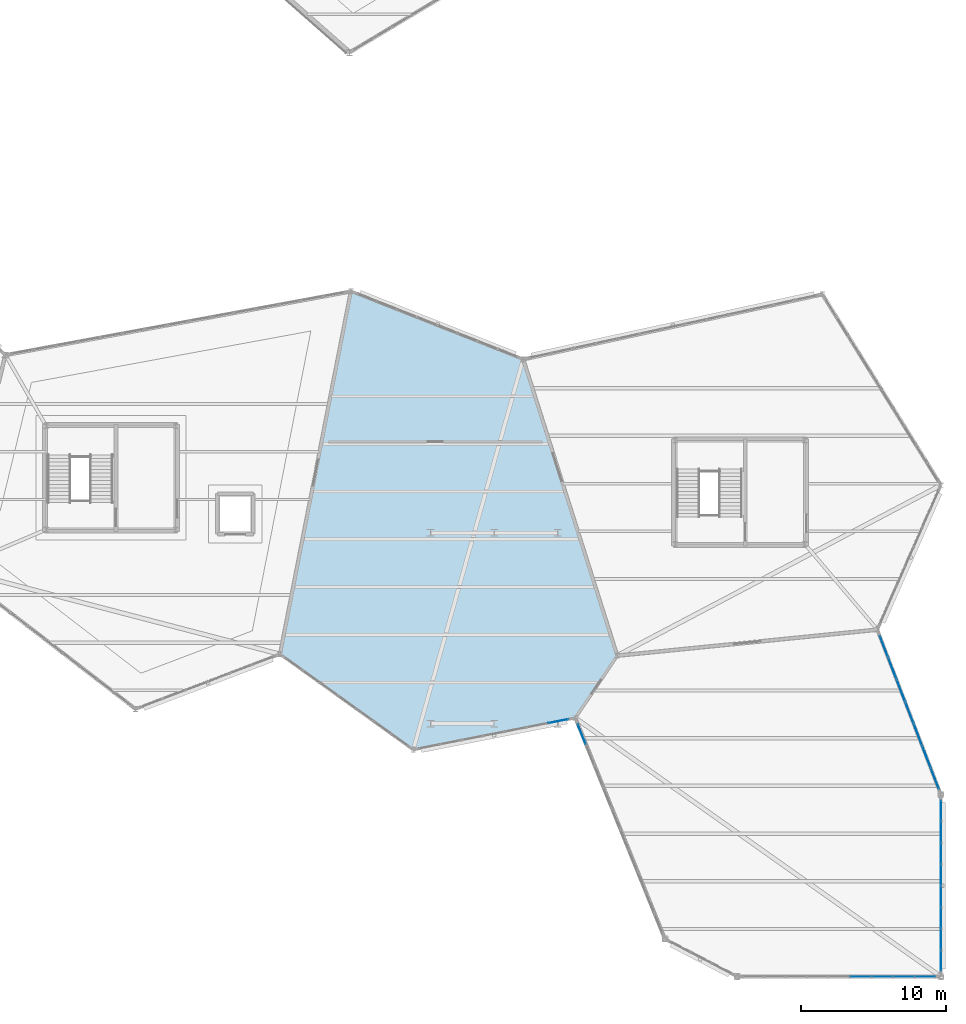
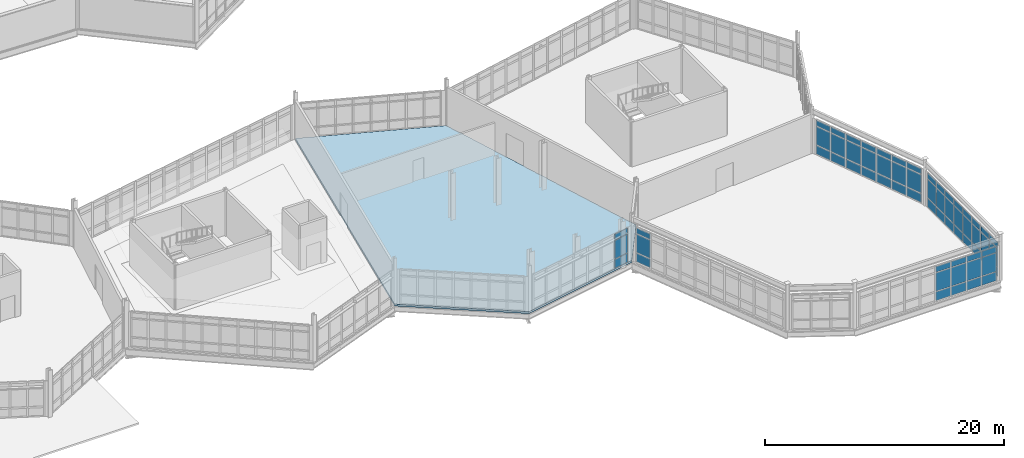
# One storey, part 97 of 134: 63 plates, 1 slab, 5 elements without a shape of their own.
"""IFC4 building model written with IfcOpenShell, lengths in metres."""

import ifcopenshell
import ifcopenshell.guid

model = None  # the IFC model being written
_history = None  # IfcOwnerHistory: only IFC2X3 demands one
_inside = {}  # id of a spatial element -> (the spatial element, [elements in it])
_under = {}  # id of a project, library or spatial element -> (it, [spatial elements below it])
_declared = {}  # id of a project -> (the project, [libraries it declares])
_typed = {}  # id of a type object -> (the type object, [elements of that type])
_made_of = {}  # id of a material, layer set ... -> (it, [elements and type objects made of it])


def new_model(schema):
    """Start an empty IFC model of exactly this schema.

    Asked for "IFC4X3", IfcOpenShell would pick the latest addendum, in which some entities
    have other attributes; the version numbers below select the first issue.
    IFC2X3 requires an IfcOwnerHistory on every rooted entity: one is made here for all.
    """
    global model, _history
    if schema == "IFC4X3":
        model = ifcopenshell.file(schema_version=(4, 3, 0, 0))
    else:
        model = ifcopenshell.file(schema=schema)
    _inside.clear()
    _under.clear()
    _declared.clear()
    _typed.clear()
    _made_of.clear()
    _history = None
    if model.schema == "IFC2X3":
        org = make("IfcOrganization", Name="unknown")
        user = make(
            "IfcPersonAndOrganization",
            ThePerson=make("IfcPerson", FamilyName="unknown"),
            TheOrganization=org,
        )
        app = make(
            "IfcApplication",
            ApplicationDeveloper=org,
            Version="unknown",
            ApplicationFullName="unknown",
            ApplicationIdentifier="unknown",
        )
        _history = make(
            "IfcOwnerHistory",
            OwningUser=user,
            OwningApplication=app,
            ChangeAction="ADDED",
            CreationDate=0,
        )
    return model


def make(cls, **values):
    """One entity of the class cls with the attributes given. An attribute that is None is left unset."""
    return model.create_entity(
        cls, **{name: value for name, value in values.items() if value is not None}
    )


def rooted(cls, **values):
    """An entity with a GlobalId (a new one), such as an element, a storey or a relation."""
    return make(cls, GlobalId=ifcopenshell.guid.new(), OwnerHistory=_history, **values)


def si_unit(unit_type, name, prefix=None):
    """IfcSIUnit, for example si_unit("LENGTHUNIT", "METRE", prefix="MILLI")."""
    return make("IfcSIUnit", UnitType=unit_type, Prefix=prefix, Name=name)


def assignment(units):
    """IfcUnitAssignment: the units of a project."""
    return None if units is None else make("IfcUnitAssignment", Units=units)


def point(xyz):
    """IfcCartesianPoint."""
    return None if xyz is None else make("IfcCartesianPoint", Coordinates=xyz)


def direction(xyz):
    """IfcDirection."""
    return None if xyz is None else make("IfcDirection", DirectionRatios=xyz)


def frame(location, z_axis=None, x_axis=None):
    """IfcAxis2Placement3D, a coordinate frame: its origin and axes. An axis left out is left unset."""
    return make(
        "IfcAxis2Placement3D",
        Location=point(location),
        Axis=direction(z_axis),
        RefDirection=direction(x_axis),
    )


def frame_2d(location, x_axis=None):
    """IfcAxis2Placement2D, a coordinate frame in the plane: its origin and x axis."""
    return make(
        "IfcAxis2Placement2D", Location=point(location), RefDirection=direction(x_axis)
    )


def origin():
    """The frame at (0, 0, 0) with its axes left unset."""
    return frame((0.0, 0.0, 0.0))


def origin_2d():
    """The frame at (0, 0) in the plane with its x axis left unset."""
    return frame_2d((0.0, 0.0))


def place(relative_to, where):
    """IfcLocalPlacement: puts the frame where relative to a parent placement (None: the world)."""
    return make(
        "IfcLocalPlacement", PlacementRelTo=relative_to, RelativePlacement=where
    )


def context(
    kind, dimensions, precision=None, world=None, true_north=None, identifier=None
):
    """IfcGeometricRepresentationContext, for example the 3D "Model" context."""
    return make(
        "IfcGeometricRepresentationContext",
        ContextIdentifier=identifier,
        ContextType=kind,
        CoordinateSpaceDimension=dimensions,
        Precision=precision,
        WorldCoordinateSystem=world,
        TrueNorth=true_north,
    )


def subcontext(parent, identifier, kind, view, scale=None):
    """IfcGeometricRepresentationSubContext, for example "Body" below "Model"."""
    return make(
        "IfcGeometricRepresentationSubContext",
        ContextIdentifier=identifier,
        ContextType=kind,
        ParentContext=parent,
        TargetScale=scale,
        TargetView=view,
    )


def project(units=None, contexts=None):
    """IfcProject with its units and contexts."""
    return rooted(
        "IfcProject",
        Name="project",
        RepresentationContexts=contexts,
        UnitsInContext=assignment(units),
    )


def spatial(cls, under=None, at=None, **own):
    """A site, building, storey or space (cls), placed at a placement, below another one or the project."""
    s = rooted(cls, ObjectPlacement=at, **own)
    if under is not None:
        _under.setdefault(under.id(), (under, []))[1].append(s)
    return s


def polyline(points):
    """IfcPolyline through the points."""
    return make("IfcPolyline", Points=[point(p) for p in points])


def profile(cls, at=None, kind="AREA", **sizes):
    """A parametric profile (cls). Its sizes go by their IFC names, for example OverallWidth=200.0."""
    return make(cls, ProfileType=kind, Position=at, **sizes)


def rectangle(**sizes):
    """IfcRectangleProfileDef."""
    return profile("IfcRectangleProfileDef", **sizes)


def outline(outer, holes=None, kind="AREA"):
    """IfcArbitraryClosedProfileDef: a profile drawn as a closed curve; with holes, ...WithVoids."""
    if holes is None:
        return make("IfcArbitraryClosedProfileDef", ProfileType=kind, OuterCurve=outer)
    return make(
        "IfcArbitraryProfileDefWithVoids",
        ProfileType=kind,
        OuterCurve=outer,
        InnerCurves=holes,
    )


def extrude(swept, where, along, depth):
    """IfcExtrudedAreaSolid: the profile swept, set in the frame where, extruded along a direction by depth."""
    return make(
        "IfcExtrudedAreaSolid",
        SweptArea=swept,
        Position=where,
        ExtrudedDirection=direction(along),
        Depth=depth,
    )


def shape(context_of_items, identifier, shape_type, items):
    """IfcShapeRepresentation: the items that make up one representation, for example the "Body"."""
    return make(
        "IfcShapeRepresentation",
        ContextOfItems=context_of_items,
        RepresentationIdentifier=identifier,
        RepresentationType=shape_type,
        Items=items,
    )


def material(Name=None, Category=None):
    """IfcMaterial."""
    return make("IfcMaterial", Name=Name, Category=Category)


def layer(
    of_material, thickness, ventilated=None, Name=None, Category=None, Priority=None
):
    """IfcMaterialLayer: one layer of a wall or slab, of a material (None: an air gap)."""
    return make(
        "IfcMaterialLayer",
        Material=of_material,
        LayerThickness=thickness,
        IsVentilated=ventilated,
        Name=Name,
        Category=Category,
        Priority=Priority,
    )


def layer_set(layers, Name=None):
    """IfcMaterialLayerSet."""
    return make("IfcMaterialLayerSet", MaterialLayers=layers, LayerSetName=Name)


def made_of(thing, what):
    """Note that an element or type object is made of a material, layer set ...; save() writes the relation."""
    if what is not None:
        _made_of.setdefault(what.id(), (what, []))[1].append(thing)
    return thing


def type_object(cls, material=None, **own):
    """A type object (cls), such as IfcWallType, which elements share."""
    return made_of(rooted(cls, **own), material)


def element(
    cls,
    number,
    at=None,
    inside=None,
    cuts=None,
    type_object=None,
    material=None,
    context=None,
    identifier="Body",
    shape_type=None,
    held_by="IfcProductDefinitionShape",
    body=None,
    shapes=None,
    **own,
):
    """One element of the class cls, such as IfcWall. Its Tag is "e" and its number.

    at: its placement. inside: the storey or other place that contains it. cuts: it is an
    opening in that element (IfcRelVoidsElement). A single representation is given by context,
    identifier, shape_type and body (its items); several are given by shapes. held_by: the class
    of the entity that holds the representations. save() writes the other relations.
    """
    e = rooted(cls, Tag="e%d" % number, ObjectPlacement=at, **own)
    if body is not None:
        shapes = [shape(context, identifier, shape_type, body)]
    if shapes is not None:
        e.Representation = make(held_by, Representations=shapes)
    if inside is not None:
        _inside.setdefault(inside.id(), (inside, []))[1].append(e)
    if cuts is not None:
        rooted(
            "IfcRelVoidsElement", RelatingBuildingElement=cuts, RelatedOpeningElement=e
        )
    if type_object is not None:
        _typed.setdefault(type_object.id(), (type_object, []))[1].append(e)
    return made_of(e, material)


def aggregate(whole, parts):
    """IfcRelAggregates: a whole, such as a stair, and the parts it consists of."""
    return rooted("IfcRelAggregates", RelatingObject=whole, RelatedObjects=parts)


def save(model, path):
    """Write the relations noted so far, then the file.

    IfcRelAggregates (storeys below a building ...), IfcRelContainedInSpatialStructure (elements
    in a storey), IfcRelDefinesByType, IfcRelAssociatesMaterial and IfcRelDeclares: one each for
    every whole, place, type object, material and project.
    """
    for whole, parts in _under.values():
        aggregate(whole, parts)
    for where, things in _inside.values():
        rooted(
            "IfcRelContainedInSpatialStructure",
            RelatedElements=things,
            RelatingStructure=where,
        )
    for kind, things in _typed.values():
        rooted("IfcRelDefinesByType", RelatedObjects=things, RelatingType=kind)
    for what, things in _made_of.values():
        rooted("IfcRelAssociatesMaterial", RelatedObjects=things, RelatingMaterial=what)
    for by, libraries in _declared.values():
        rooted("IfcRelDeclares", RelatingContext=by, RelatedDefinitions=libraries)
    model.write(path)


model = new_model("IFC4")

# Units and contexts
model_context = context("Model", 3, precision=1e-05, world=origin(), true_north=direction((0.0, 1.0)))
body_context = subcontext(model_context, "Body", "Model", "MODEL_VIEW")
ifc_project = project(units=[si_unit("LENGTHUNIT", "METRE"), si_unit("AREAUNIT", "SQUARE_METRE"), si_unit("VOLUMEUNIT", "CUBIC_METRE"), si_unit("PLANEANGLEUNIT", "RADIAN"), si_unit("MASSUNIT", "GRAM", prefix="KILO")], contexts=[model_context])

# Site, building, storey
site_placement = place(None, origin())
site = spatial("IfcSite", under=ifc_project, at=site_placement, CompositionType="ELEMENT")
building_placement = place(site_placement, origin())
building = spatial("IfcBuilding", under=site, at=building_placement, Name="Tameran Prism Museum", CompositionType="ELEMENT")
storey_placement = place(building_placement, frame((0.0, 0.0, 5.39990234375)))
storey = spatial("IfcBuildingStorey", under=building, at=storey_placement, Name="L01", CompositionType="ELEMENT", Elevation=5.39990234375)

# Curtain wall, plates
ifc_material_1 = material(Name="Anodised Aluminium 6063-T6 and Cyclone Solar Glass", Category="aluminium")
curtain_wall_type_1 = type_object("IfcCurtainWallType", Name="CW-FAC-1065x362", PredefinedType="USERDEFINED", material=ifc_material_1)
curtain_wall_1_placement = place(storey_placement, origin())
curtain_wall_1 = element("IfcCurtainWall", 1, at=curtain_wall_1_placement, inside=storey, type_object=curtain_wall_type_1, Name="Unitised Curtain Wall CW-077", ObjectType="UNITISED CURTAIN WALL", PredefinedType="USERDEFINED")
ifc_material_2 = material(Name="Low-E Laminated Solar Glass", Category="glass")
ifc_layer_1 = layer(ifc_material_2, 0.028076171875)
ifc_layer_set_1 = layer_set([ifc_layer_1])
plate_type_1 = type_object("IfcPlateType", Name="CW-PNL-G28", PredefinedType="CURTAIN_PANEL", material=ifc_layer_set_1)
plate_1_placement = place(storey_placement, frame((139.932861328125, 17.670654296875, 0.0751953125), z_axis=(0.0, 0.0, 1.0), x_axis=(-0.981242797485, -0.192775964228, 0.0)))
plate_1 = element("IfcPlate", 2, at=plate_1_placement, type_object=plate_type_1, Name="CW-077 panel 1.1", PredefinedType="CURTAIN_PANEL", context=body_context, shape_type="SweptSolid", body=[
    extrude(rectangle(XDim=1.40966796875, YDim=0.028076171875, at=origin_2d()), origin(), (0.0, 0.0, 1.0), 0.887451171875),
])
plate_2_placement = place(storey_placement, frame((139.932861328125, 17.670654296875, 1.03759765625), z_axis=(0.0, 0.0, 1.0), x_axis=(-0.981242797485, -0.192775964228, 0.0)))
plate_2 = element("IfcPlate", 3, at=plate_2_placement, type_object=plate_type_1, Name="CW-077 panel 1.2", PredefinedType="CURTAIN_PANEL", context=body_context, shape_type="SweptSolid", body=[
    extrude(rectangle(XDim=1.40966796875, YDim=0.028076171875, at=origin_2d()), origin(), (0.0, 0.0, 1.0), 1.864990234375),
])
plate_3_placement = place(storey_placement, frame((139.932861328125, 17.670654296875, 2.9775390625), z_axis=(0.0, 0.0, 1.0), x_axis=(-0.981242797485, -0.192775964228, 0.0)))
plate_3 = element("IfcPlate", 4, at=plate_3_placement, type_object=plate_type_1, Name="CW-077 panel 1.3", PredefinedType="CURTAIN_PANEL", context=body_context, shape_type="SweptSolid", body=[
    extrude(rectangle(XDim=1.40966796875, YDim=0.028076171875, at=origin_2d()), origin(), (0.0, 0.0, 1.0), 0.5673828125),
])
aggregate(curtain_wall_1, [plate_1, plate_2, plate_3])

ifc_material_3 = material(Name="Anodised Aluminium 6063-T6 and Cyclone Solar Glass", Category="aluminium")
curtain_wall_type_2 = type_object("IfcCurtainWallType", Name="CW-FAC-1340x362", PredefinedType="USERDEFINED", material=ifc_material_3)
curtain_wall_2_placement = place(storey_placement, origin())
curtain_wall_2 = element("IfcCurtainWall", 5, at=curtain_wall_2_placement, inside=storey, type_object=curtain_wall_type_2, Name="Unitised Curtain Wall CW-080", ObjectType="UNITISED CURTAIN WALL", PredefinedType="USERDEFINED")
plate_4_placement = place(storey_placement, frame((165.2880859375, 0.0, 0.070068359375), z_axis=(0.0, 0.0, 1.0), x_axis=(-1.0, 0.0, 0.0)))
plate_4 = element("IfcPlate", 6, at=plate_4_placement, type_object=plate_type_1, Name="CW-080 panel 1.1", PredefinedType="CURTAIN_PANEL", context=body_context, shape_type="SweptSolid", body=[
    extrude(rectangle(XDim=1.3837890625, YDim=0.028076171875, at=origin_2d()), origin(), (0.0, 0.0, 1.0), 0.89501953125),
])
plate_5_placement = place(storey_placement, frame((165.2880859375, 0.0, 1.03515625), z_axis=(0.0, 0.0, 1.0), x_axis=(-1.0, 0.0, 0.0)))
plate_5 = element("IfcPlate", 7, at=plate_5_placement, type_object=plate_type_1, Name="CW-080 panel 1.2", PredefinedType="CURTAIN_PANEL", context=body_context, shape_type="SweptSolid", body=[
    extrude(rectangle(XDim=1.3837890625, YDim=0.028076171875, at=origin_2d()), origin(), (0.0, 0.0, 1.0), 1.8701171875),
])
plate_6_placement = place(storey_placement, frame((165.2880859375, 0.0, 2.97509765625), z_axis=(0.0, 0.0, 1.0), x_axis=(-1.0, 0.0, 0.0)))
plate_6 = element("IfcPlate", 8, at=plate_6_placement, type_object=plate_type_1, Name="CW-080 panel 1.3", PredefinedType="CURTAIN_PANEL", context=body_context, shape_type="SweptSolid", body=[
    extrude(rectangle(XDim=1.3837890625, YDim=0.028076171875, at=origin_2d()), origin(), (0.0, 0.0, 1.0), 0.574951171875),
])
plate_7_placement = place(storey_placement, frame((163.816650390625, 0.0, 0.070068359375), z_axis=(0.0, 0.0, 1.0), x_axis=(-1.0, 0.0, 0.0)))
plate_7 = element("IfcPlate", 9, at=plate_7_placement, type_object=plate_type_1, Name="CW-080 panel 2.1", PredefinedType="CURTAIN_PANEL", context=body_context, shape_type="SweptSolid", body=[
    extrude(rectangle(XDim=1.4189453125, YDim=0.028076171875, at=origin_2d()), origin(), (0.0, 0.0, 1.0), 0.89501953125),
])
plate_8_placement = place(storey_placement, frame((163.816650390625, 0.0, 1.03515625), z_axis=(0.0, 0.0, 1.0), x_axis=(-1.0, 0.0, 0.0)))
plate_8 = element("IfcPlate", 10, at=plate_8_placement, type_object=plate_type_1, Name="CW-080 panel 2.2", PredefinedType="CURTAIN_PANEL", context=body_context, shape_type="SweptSolid", body=[
    extrude(rectangle(XDim=1.4189453125, YDim=0.028076171875, at=origin_2d()), origin(), (0.0, 0.0, 1.0), 1.8701171875),
])
plate_9_placement = place(storey_placement, frame((163.816650390625, 0.0, 2.97509765625), z_axis=(0.0, 0.0, 1.0), x_axis=(-1.0, 0.0, 0.0)))
plate_9 = element("IfcPlate", 11, at=plate_9_placement, type_object=plate_type_1, Name="CW-080 panel 2.3", PredefinedType="CURTAIN_PANEL", context=body_context, shape_type="SweptSolid", body=[
    extrude(rectangle(XDim=1.4189453125, YDim=0.028076171875, at=origin_2d()), origin(), (0.0, 0.0, 1.0), 0.574951171875),
])
plate_10_placement = place(storey_placement, frame((162.327880859375, 0.0, 0.070068359375), z_axis=(0.0, 0.0, 1.0), x_axis=(-1.0, 0.0, 0.0)))
plate_10 = element("IfcPlate", 12, at=plate_10_placement, type_object=plate_type_1, Name="CW-080 panel 3.1", PredefinedType="CURTAIN_PANEL", context=body_context, shape_type="SweptSolid", body=[
    extrude(rectangle(XDim=1.4189453125, YDim=0.028076171875, at=origin_2d()), origin(), (0.0, 0.0, 1.0), 0.89501953125),
])
plate_11_placement = place(storey_placement, frame((162.327880859375, 0.0, 1.03515625), z_axis=(0.0, 0.0, 1.0), x_axis=(-1.0, 0.0, 0.0)))
plate_11 = element("IfcPlate", 13, at=plate_11_placement, type_object=plate_type_1, Name="CW-080 panel 3.2", PredefinedType="CURTAIN_PANEL", context=body_context, shape_type="SweptSolid", body=[
    extrude(rectangle(XDim=1.4189453125, YDim=0.028076171875, at=origin_2d()), origin(), (0.0, 0.0, 1.0), 1.8701171875),
])
plate_12_placement = place(storey_placement, frame((162.327880859375, 0.0, 2.97509765625), z_axis=(0.0, 0.0, 1.0), x_axis=(-1.0, 0.0, 0.0)))
plate_12 = element("IfcPlate", 14, at=plate_12_placement, type_object=plate_type_1, Name="CW-080 panel 3.3", PredefinedType="CURTAIN_PANEL", context=body_context, shape_type="SweptSolid", body=[
    extrude(rectangle(XDim=1.4189453125, YDim=0.028076171875, at=origin_2d()), origin(), (0.0, 0.0, 1.0), 0.574951171875),
])
plate_13_placement = place(storey_placement, frame((160.8388671875, 0.0, 0.070068359375), z_axis=(0.0, 0.0, 1.0), x_axis=(-1.0, 0.0, 0.0)))
plate_13 = element("IfcPlate", 15, at=plate_13_placement, type_object=plate_type_1, Name="CW-080 panel 4.1", PredefinedType="CURTAIN_PANEL", context=body_context, shape_type="SweptSolid", body=[
    extrude(rectangle(XDim=1.4189453125, YDim=0.028076171875, at=origin_2d()), origin(), (0.0, 0.0, 1.0), 0.89501953125),
])
plate_14_placement = place(storey_placement, frame((160.8388671875, 0.0, 1.03515625), z_axis=(0.0, 0.0, 1.0), x_axis=(-1.0, 0.0, 0.0)))
plate_14 = element("IfcPlate", 16, at=plate_14_placement, type_object=plate_type_1, Name="CW-080 panel 4.2", PredefinedType="CURTAIN_PANEL", context=body_context, shape_type="SweptSolid", body=[
    extrude(rectangle(XDim=1.4189453125, YDim=0.028076171875, at=origin_2d()), origin(), (0.0, 0.0, 1.0), 1.8701171875),
])
plate_15_placement = place(storey_placement, frame((160.8388671875, 0.0, 2.97509765625), z_axis=(0.0, 0.0, 1.0), x_axis=(-1.0, 0.0, 0.0)))
plate_15 = element("IfcPlate", 17, at=plate_15_placement, type_object=plate_type_1, Name="CW-080 panel 4.3", PredefinedType="CURTAIN_PANEL", context=body_context, shape_type="SweptSolid", body=[
    extrude(rectangle(XDim=1.4189453125, YDim=0.028076171875, at=origin_2d()), origin(), (0.0, 0.0, 1.0), 0.574951171875),
])
aggregate(curtain_wall_2, [plate_4, plate_5, plate_6, plate_7, plate_8, plate_9, plate_10, plate_11, plate_12, plate_13, plate_14, plate_15])

ifc_material_4 = material(Name="Anodised Aluminium 6063-T6 and Cyclone Solar Glass", Category="aluminium")
curtain_wall_type_3 = type_object("IfcCurtainWallType", Name="CW-FAC-1190x362", PredefinedType="USERDEFINED", material=ifc_material_4)
curtain_wall_3_placement = place(storey_placement, origin())
curtain_wall_3 = element("IfcCurtainWall", 18, at=curtain_wall_3_placement, inside=storey, type_object=curtain_wall_type_3, Name="Unitised Curtain Wall CW-081", ObjectType="UNITISED CURTAIN WALL", PredefinedType="USERDEFINED")
plate_16_placement = place(storey_placement, frame((166.39990234375, 11.487548828125, 0.0751953125), z_axis=(0.0, 0.0, 1.0), x_axis=(0.0, -1.0, 0.0)))
plate_16 = element("IfcPlate", 19, at=plate_16_placement, type_object=plate_type_1, Name="CW-081 panel 1.1", PredefinedType="CURTAIN_PANEL", context=body_context, shape_type="SweptSolid", body=[
    extrude(rectangle(XDim=1.375, YDim=0.028076171875, at=origin_2d()), origin(), (0.0, 0.0, 1.0), 0.887451171875),
])
plate_17_placement = place(storey_placement, frame((166.39990234375, 11.487548828125, 1.03759765625), z_axis=(0.0, 0.0, 1.0), x_axis=(0.0, -1.0, 0.0)))
plate_17 = element("IfcPlate", 20, at=plate_17_placement, type_object=plate_type_1, Name="CW-081 panel 1.2", PredefinedType="CURTAIN_PANEL", context=body_context, shape_type="SweptSolid", body=[
    extrude(rectangle(XDim=1.375, YDim=0.028076171875, at=origin_2d()), origin(), (0.0, 0.0, 1.0), 1.864990234375),
])
plate_18_placement = place(storey_placement, frame((166.39990234375, 11.487548828125, 2.9775390625), z_axis=(0.0, 0.0, 1.0), x_axis=(0.0, -1.0, 0.0)))
plate_18 = element("IfcPlate", 21, at=plate_18_placement, type_object=plate_type_1, Name="CW-081 panel 1.3", PredefinedType="CURTAIN_PANEL", context=body_context, shape_type="SweptSolid", body=[
    extrude(rectangle(XDim=1.375, YDim=0.028076171875, at=origin_2d()), origin(), (0.0, 0.0, 1.0), 0.5673828125),
])
plate_19_placement = place(storey_placement, frame((166.39990234375, 10.018798828125, 0.0751953125), z_axis=(0.0, 0.0, 1.0), x_axis=(0.0, -1.0, 0.0)))
plate_19 = element("IfcPlate", 22, at=plate_19_placement, type_object=plate_type_1, Name="CW-081 panel 2.1", PredefinedType="CURTAIN_PANEL", context=body_context, shape_type="SweptSolid", body=[
    extrude(rectangle(XDim=1.41259765625, YDim=0.028076171875, at=origin_2d()), origin(), (0.0, 0.0, 1.0), 0.887451171875),
])
plate_20_placement = place(storey_placement, frame((166.39990234375, 10.018798828125, 1.03759765625), z_axis=(0.0, 0.0, 1.0), x_axis=(0.0, -1.0, 0.0)))
plate_20 = element("IfcPlate", 23, at=plate_20_placement, type_object=plate_type_1, Name="CW-081 panel 2.2", PredefinedType="CURTAIN_PANEL", context=body_context, shape_type="SweptSolid", body=[
    extrude(rectangle(XDim=1.41259765625, YDim=0.028076171875, at=origin_2d()), origin(), (0.0, 0.0, 1.0), 1.864990234375),
])
plate_21_placement = place(storey_placement, frame((166.39990234375, 10.018798828125, 2.9775390625), z_axis=(0.0, 0.0, 1.0), x_axis=(0.0, -1.0, 0.0)))
plate_21 = element("IfcPlate", 24, at=plate_21_placement, type_object=plate_type_1, Name="CW-081 panel 2.3", PredefinedType="CURTAIN_PANEL", context=body_context, shape_type="SweptSolid", body=[
    extrude(rectangle(XDim=1.41259765625, YDim=0.028076171875, at=origin_2d()), origin(), (0.0, 0.0, 1.0), 0.5673828125),
])
plate_22_placement = place(storey_placement, frame((166.39990234375, 8.53125, 0.0751953125), z_axis=(0.0, 0.0, 1.0), x_axis=(0.0, -1.0, 0.0)))
plate_22 = element("IfcPlate", 25, at=plate_22_placement, type_object=plate_type_1, Name="CW-081 panel 3.1", PredefinedType="CURTAIN_PANEL", context=body_context, shape_type="SweptSolid", body=[
    extrude(rectangle(XDim=1.41259765625, YDim=0.028076171875, at=origin_2d()), origin(), (0.0, 0.0, 1.0), 0.887451171875),
])
plate_23_placement = place(storey_placement, frame((166.39990234375, 8.53125, 1.03759765625), z_axis=(0.0, 0.0, 1.0), x_axis=(0.0, -1.0, 0.0)))
plate_23 = element("IfcPlate", 26, at=plate_23_placement, type_object=plate_type_1, Name="CW-081 panel 3.2", PredefinedType="CURTAIN_PANEL", context=body_context, shape_type="SweptSolid", body=[
    extrude(rectangle(XDim=1.41259765625, YDim=0.028076171875, at=origin_2d()), origin(), (0.0, 0.0, 1.0), 1.864990234375),
])
plate_24_placement = place(storey_placement, frame((166.39990234375, 8.53125, 2.9775390625), z_axis=(0.0, 0.0, 1.0), x_axis=(0.0, -1.0, 0.0)))
plate_24 = element("IfcPlate", 27, at=plate_24_placement, type_object=plate_type_1, Name="CW-081 panel 3.3", PredefinedType="CURTAIN_PANEL", context=body_context, shape_type="SweptSolid", body=[
    extrude(rectangle(XDim=1.41259765625, YDim=0.028076171875, at=origin_2d()), origin(), (0.0, 0.0, 1.0), 0.5673828125),
])
plate_25_placement = place(storey_placement, frame((166.39990234375, 7.043701171875, 0.0751953125), z_axis=(0.0, 0.0, 1.0), x_axis=(0.0, -1.0, 0.0)))
plate_25 = element("IfcPlate", 28, at=plate_25_placement, type_object=plate_type_1, Name="CW-081 panel 4.1", PredefinedType="CURTAIN_PANEL", context=body_context, shape_type="SweptSolid", body=[
    extrude(rectangle(XDim=1.41259765625, YDim=0.028076171875, at=origin_2d()), origin(), (0.0, 0.0, 1.0), 0.887451171875),
])
plate_26_placement = place(storey_placement, frame((166.39990234375, 7.043701171875, 1.03759765625), z_axis=(0.0, 0.0, 1.0), x_axis=(0.0, -1.0, 0.0)))
plate_26 = element("IfcPlate", 29, at=plate_26_placement, type_object=plate_type_1, Name="CW-081 panel 4.2", PredefinedType="CURTAIN_PANEL", context=body_context, shape_type="SweptSolid", body=[
    extrude(rectangle(XDim=1.41259765625, YDim=0.028076171875, at=origin_2d()), origin(), (0.0, 0.0, 1.0), 1.864990234375),
])
plate_27_placement = place(storey_placement, frame((166.39990234375, 7.043701171875, 2.9775390625), z_axis=(0.0, 0.0, 1.0), x_axis=(0.0, -1.0, 0.0)))
plate_27 = element("IfcPlate", 30, at=plate_27_placement, type_object=plate_type_1, Name="CW-081 panel 4.3", PredefinedType="CURTAIN_PANEL", context=body_context, shape_type="SweptSolid", body=[
    extrude(rectangle(XDim=1.41259765625, YDim=0.028076171875, at=origin_2d()), origin(), (0.0, 0.0, 1.0), 0.5673828125),
])
plate_28_placement = place(storey_placement, frame((166.39990234375, 5.55615234375, 0.0751953125), z_axis=(0.0, 0.0, 1.0), x_axis=(0.0, -1.0, 0.0)))
plate_28 = element("IfcPlate", 31, at=plate_28_placement, type_object=plate_type_1, Name="CW-081 panel 5.1", PredefinedType="CURTAIN_PANEL", context=body_context, shape_type="SweptSolid", body=[
    extrude(rectangle(XDim=1.41259765625, YDim=0.028076171875, at=origin_2d()), origin(), (0.0, 0.0, 1.0), 0.887451171875),
])
plate_29_placement = place(storey_placement, frame((166.39990234375, 5.55615234375, 1.03759765625), z_axis=(0.0, 0.0, 1.0), x_axis=(0.0, -1.0, 0.0)))
plate_29 = element("IfcPlate", 32, at=plate_29_placement, type_object=plate_type_1, Name="CW-081 panel 5.2", PredefinedType="CURTAIN_PANEL", context=body_context, shape_type="SweptSolid", body=[
    extrude(rectangle(XDim=1.41259765625, YDim=0.028076171875, at=origin_2d()), origin(), (0.0, 0.0, 1.0), 1.864990234375),
])
plate_30_placement = place(storey_placement, frame((166.39990234375, 5.55615234375, 2.9775390625), z_axis=(0.0, 0.0, 1.0), x_axis=(0.0, -1.0, 0.0)))
plate_30 = element("IfcPlate", 33, at=plate_30_placement, type_object=plate_type_1, Name="CW-081 panel 5.3", PredefinedType="CURTAIN_PANEL", context=body_context, shape_type="SweptSolid", body=[
    extrude(rectangle(XDim=1.41259765625, YDim=0.028076171875, at=origin_2d()), origin(), (0.0, 0.0, 1.0), 0.5673828125),
])
plate_31_placement = place(storey_placement, frame((166.39990234375, 4.06884765625, 0.0751953125), z_axis=(0.0, 0.0, 1.0), x_axis=(0.0, -1.0, 0.0)))
plate_31 = element("IfcPlate", 34, at=plate_31_placement, type_object=plate_type_1, Name="CW-081 panel 6.1", PredefinedType="CURTAIN_PANEL", context=body_context, shape_type="SweptSolid", body=[
    extrude(rectangle(XDim=1.41259765625, YDim=0.028076171875, at=origin_2d()), origin(), (0.0, 0.0, 1.0), 0.887451171875),
])
plate_32_placement = place(storey_placement, frame((166.39990234375, 4.06884765625, 1.03759765625), z_axis=(0.0, 0.0, 1.0), x_axis=(0.0, -1.0, 0.0)))
plate_32 = element("IfcPlate", 35, at=plate_32_placement, type_object=plate_type_1, Name="CW-081 panel 6.2", PredefinedType="CURTAIN_PANEL", context=body_context, shape_type="SweptSolid", body=[
    extrude(rectangle(XDim=1.41259765625, YDim=0.028076171875, at=origin_2d()), origin(), (0.0, 0.0, 1.0), 1.864990234375),
])
plate_33_placement = place(storey_placement, frame((166.39990234375, 4.06884765625, 2.9775390625), z_axis=(0.0, 0.0, 1.0), x_axis=(0.0, -1.0, 0.0)))
plate_33 = element("IfcPlate", 36, at=plate_33_placement, type_object=plate_type_1, Name="CW-081 panel 6.3", PredefinedType="CURTAIN_PANEL", context=body_context, shape_type="SweptSolid", body=[
    extrude(rectangle(XDim=1.41259765625, YDim=0.028076171875, at=origin_2d()), origin(), (0.0, 0.0, 1.0), 0.5673828125),
])
plate_34_placement = place(storey_placement, frame((166.39990234375, 2.581298828125, 0.0751953125), z_axis=(0.0, 0.0, 1.0), x_axis=(0.0, -1.0, 0.0)))
plate_34 = element("IfcPlate", 37, at=plate_34_placement, type_object=plate_type_1, Name="CW-081 panel 7.1", PredefinedType="CURTAIN_PANEL", context=body_context, shape_type="SweptSolid", body=[
    extrude(rectangle(XDim=1.41259765625, YDim=0.028076171875, at=origin_2d()), origin(), (0.0, 0.0, 1.0), 0.887451171875),
])
plate_35_placement = place(storey_placement, frame((166.39990234375, 2.581298828125, 1.03759765625), z_axis=(0.0, 0.0, 1.0), x_axis=(0.0, -1.0, 0.0)))
plate_35 = element("IfcPlate", 38, at=plate_35_placement, type_object=plate_type_1, Name="CW-081 panel 7.2", PredefinedType="CURTAIN_PANEL", context=body_context, shape_type="SweptSolid", body=[
    extrude(rectangle(XDim=1.41259765625, YDim=0.028076171875, at=origin_2d()), origin(), (0.0, 0.0, 1.0), 1.864990234375),
])
plate_36_placement = place(storey_placement, frame((166.39990234375, 2.581298828125, 2.9775390625), z_axis=(0.0, 0.0, 1.0), x_axis=(0.0, -1.0, 0.0)))
plate_36 = element("IfcPlate", 39, at=plate_36_placement, type_object=plate_type_1, Name="CW-081 panel 7.3", PredefinedType="CURTAIN_PANEL", context=body_context, shape_type="SweptSolid", body=[
    extrude(rectangle(XDim=1.41259765625, YDim=0.028076171875, at=origin_2d()), origin(), (0.0, 0.0, 1.0), 0.5673828125),
])
plate_37_placement = place(storey_placement, frame((166.39990234375, 1.112548828125, 0.0751953125), z_axis=(0.0, 0.0, 1.0), x_axis=(0.0, -1.0, 0.0)))
plate_37 = element("IfcPlate", 40, at=plate_37_placement, type_object=plate_type_1, Name="CW-081 panel 8.1", PredefinedType="CURTAIN_PANEL", context=body_context, shape_type="SweptSolid", body=[
    extrude(rectangle(XDim=1.375, YDim=0.028076171875, at=origin_2d()), origin(), (0.0, 0.0, 1.0), 0.887451171875),
])
plate_38_placement = place(storey_placement, frame((166.39990234375, 1.112548828125, 1.03759765625), z_axis=(0.0, 0.0, 1.0), x_axis=(0.0, -1.0, 0.0)))
plate_38 = element("IfcPlate", 41, at=plate_38_placement, type_object=plate_type_1, Name="CW-081 panel 8.2", PredefinedType="CURTAIN_PANEL", context=body_context, shape_type="SweptSolid", body=[
    extrude(rectangle(XDim=1.375, YDim=0.028076171875, at=origin_2d()), origin(), (0.0, 0.0, 1.0), 1.864990234375),
])
plate_39_placement = place(storey_placement, frame((166.39990234375, 1.112548828125, 2.9775390625), z_axis=(0.0, 0.0, 1.0), x_axis=(0.0, -1.0, 0.0)))
plate_39 = element("IfcPlate", 42, at=plate_39_placement, type_object=plate_type_1, Name="CW-081 panel 8.3", PredefinedType="CURTAIN_PANEL", context=body_context, shape_type="SweptSolid", body=[
    extrude(rectangle(XDim=1.375, YDim=0.028076171875, at=origin_2d()), origin(), (0.0, 0.0, 1.0), 0.5673828125),
])
aggregate(curtain_wall_3, [plate_16, plate_17, plate_18, plate_19, plate_20, plate_21, plate_22, plate_23, plate_24, plate_25, plate_26, plate_27, plate_28, plate_29, plate_30, plate_31, plate_32, plate_33, plate_34, plate_35, plate_36, plate_37, plate_38, plate_39])

ifc_material_5 = material(Name="Anodised Aluminium 6063-T6 and Cyclone Solar Glass", Category="aluminium")
curtain_wall_type_4 = type_object("IfcCurtainWallType", Name="CW-FAC-1575x362", PredefinedType="USERDEFINED", material=ifc_material_5)
curtain_wall_4_placement = place(storey_placement, origin())
curtain_wall_4 = element("IfcCurtainWall", 43, at=curtain_wall_4_placement, inside=storey, type_object=curtain_wall_type_4, Name="Unitised Curtain Wall CW-078", ObjectType="UNITISED CURTAIN WALL", PredefinedType="USERDEFINED")
ifc_material_6 = material(Name="Cyclone Laminated Solar Glass", Category="glass")
ifc_layer_2 = layer(ifc_material_6, 0.031982421875)
ifc_layer_set_2 = layer_set([ifc_layer_2])
plate_type_2 = type_object("IfcPlateType", Name="CW-PNL-G32", PredefinedType="CURTAIN_PANEL", material=ifc_layer_set_2)
plate_40_placement = place(storey_placement, frame((141.557373046875, 16.771728515625, 0.080078125), z_axis=(0.0, 0.0, 1.0), x_axis=(-0.375579825863, 0.926790048719, 0.0)))
plate_40 = element("IfcPlate", 44, at=plate_40_placement, type_object=plate_type_2, Name="CW-078 panel 10.1", PredefinedType="CURTAIN_PANEL", context=body_context, shape_type="SweptSolid", body=[
    extrude(rectangle(XDim=1.454833984375, YDim=0.031982421875, at=origin_2d()), origin(), (0.0, 0.0, 1.0), 0.8798828125),
])
plate_41_placement = place(storey_placement, frame((141.557373046875, 16.771728515625, 1.0400390625), z_axis=(0.0, 0.0, 1.0), x_axis=(-0.375579825863, 0.926790048719, 0.0)))
plate_41 = element("IfcPlate", 45, at=plate_41_placement, type_object=plate_type_2, Name="CW-078 panel 10.2", PredefinedType="CURTAIN_PANEL", context=body_context, shape_type="SweptSolid", body=[
    extrude(rectangle(XDim=1.454833984375, YDim=0.031982421875, at=origin_2d()), origin(), (0.0, 0.0, 1.0), 1.860107421875),
])
plate_42_placement = place(storey_placement, frame((141.557373046875, 16.771728515625, 2.97998046875), z_axis=(0.0, 0.0, 1.0), x_axis=(-0.375579825863, 0.926790048719, 0.0)))
plate_42 = element("IfcPlate", 46, at=plate_42_placement, type_object=plate_type_2, Name="CW-078 panel 10.3", PredefinedType="CURTAIN_PANEL", context=body_context, shape_type="SweptSolid", body=[
    extrude(rectangle(XDim=1.454833984375, YDim=0.031982421875, at=origin_2d()), origin(), (0.0, 0.0, 1.0), 0.56005859375),
])
aggregate(curtain_wall_4, [plate_40, plate_41, plate_42])

ifc_material_7 = material(Name="Anodised Aluminium 6063-T6 and Cyclone Solar Glass", Category="aluminium")
curtain_wall_type_5 = type_object("IfcCurtainWallType", Name="CW-FAC-1146x362", PredefinedType="USERDEFINED", material=ifc_material_7)
curtain_wall_5_placement = place(storey_placement, origin())
curtain_wall_5 = element("IfcCurtainWall", 47, at=curtain_wall_5_placement, inside=storey, type_object=curtain_wall_type_5, Name="Unitised Curtain Wall CW-082", ObjectType="UNITISED CURTAIN WALL", PredefinedType="USERDEFINED")
plate_43_placement = place(storey_placement, frame((162.449951171875, 22.834716796875, 0.080078125), z_axis=(0.0, 0.0, 1.0), x_axis=(0.360078259151, -0.932922101403, 0.0)))
plate_43 = element("IfcPlate", 48, at=plate_43_placement, type_object=plate_type_2, Name="CW-082 panel 1.1", PredefinedType="CURTAIN_PANEL", context=body_context, shape_type="SweptSolid", body=[
    extrude(rectangle(XDim=1.516845703125, YDim=0.031982421875, at=origin_2d()), origin(), (0.0, 0.0, 1.0), 0.8798828125),
])
plate_44_placement = place(storey_placement, frame((162.449951171875, 22.834716796875, 1.0400390625), z_axis=(0.0, 0.0, 1.0), x_axis=(0.360078259151, -0.932922101403, 0.0)))
plate_44 = element("IfcPlate", 49, at=plate_44_placement, type_object=plate_type_2, Name="CW-082 panel 1.2", PredefinedType="CURTAIN_PANEL", context=body_context, shape_type="SweptSolid", body=[
    extrude(rectangle(XDim=1.516845703125, YDim=0.031982421875, at=origin_2d()), origin(), (0.0, 0.0, 1.0), 1.860107421875),
])
plate_45_placement = place(storey_placement, frame((162.449951171875, 22.834716796875, 2.97998046875), z_axis=(0.0, 0.0, 1.0), x_axis=(0.360078259151, -0.932922101403, 0.0)))
plate_45 = element("IfcPlate", 50, at=plate_45_placement, type_object=plate_type_2, Name="CW-082 panel 1.3", PredefinedType="CURTAIN_PANEL", context=body_context, shape_type="SweptSolid", body=[
    extrude(rectangle(XDim=1.516845703125, YDim=0.031982421875, at=origin_2d()), origin(), (0.0, 0.0, 1.0), 0.56005859375),
])
plate_46_placement = place(storey_placement, frame((163.0322265625, 21.326171875, 0.080078125), z_axis=(0.0, 0.0, 1.0), x_axis=(0.360078259151, -0.932922101403, 0.0)))
plate_46 = element("IfcPlate", 51, at=plate_46_placement, type_object=plate_type_2, Name="CW-082 panel 2.1", PredefinedType="CURTAIN_PANEL", context=body_context, shape_type="SweptSolid", body=[
    extrude(rectangle(XDim=1.556884765625, YDim=0.031982421875, at=origin_2d()), origin(), (0.0, 0.0, 1.0), 0.8798828125),
])
plate_47_placement = place(storey_placement, frame((163.0322265625, 21.326171875, 1.0400390625), z_axis=(0.0, 0.0, 1.0), x_axis=(0.360078259151, -0.932922101403, 0.0)))
plate_47 = element("IfcPlate", 52, at=plate_47_placement, type_object=plate_type_2, Name="CW-082 panel 2.2", PredefinedType="CURTAIN_PANEL", context=body_context, shape_type="SweptSolid", body=[
    extrude(rectangle(XDim=1.556884765625, YDim=0.031982421875, at=origin_2d()), origin(), (0.0, 0.0, 1.0), 1.860107421875),
])
plate_48_placement = place(storey_placement, frame((163.0322265625, 21.326171875, 2.97998046875), z_axis=(0.0, 0.0, 1.0), x_axis=(0.360078259151, -0.932922101403, 0.0)))
plate_48 = element("IfcPlate", 53, at=plate_48_placement, type_object=plate_type_2, Name="CW-082 panel 2.3", PredefinedType="CURTAIN_PANEL", context=body_context, shape_type="SweptSolid", body=[
    extrude(rectangle(XDim=1.556884765625, YDim=0.031982421875, at=origin_2d()), origin(), (0.0, 0.0, 1.0), 0.56005859375),
])
plate_49_placement = place(storey_placement, frame((163.62158203125, 19.799072265625, 0.080078125), z_axis=(0.0, 0.0, 1.0), x_axis=(0.360078259151, -0.932922101403, 0.0)))
plate_49 = element("IfcPlate", 54, at=plate_49_placement, type_object=plate_type_2, Name="CW-082 panel 3.1", PredefinedType="CURTAIN_PANEL", context=body_context, shape_type="SweptSolid", body=[
    extrude(rectangle(XDim=1.556884765625, YDim=0.031982421875, at=origin_2d()), origin(), (0.0, 0.0, 1.0), 0.8798828125),
])
plate_50_placement = place(storey_placement, frame((163.62158203125, 19.799072265625, 1.0400390625), z_axis=(0.0, 0.0, 1.0), x_axis=(0.360078259151, -0.932922101403, 0.0)))
plate_50 = element("IfcPlate", 55, at=plate_50_placement, type_object=plate_type_2, Name="CW-082 panel 3.2", PredefinedType="CURTAIN_PANEL", context=body_context, shape_type="SweptSolid", body=[
    extrude(rectangle(XDim=1.556884765625, YDim=0.031982421875, at=origin_2d()), origin(), (0.0, 0.0, 1.0), 1.860107421875),
])
plate_51_placement = place(storey_placement, frame((163.62158203125, 19.799072265625, 2.97998046875), z_axis=(0.0, 0.0, 1.0), x_axis=(0.360078259151, -0.932922101403, 0.0)))
plate_51 = element("IfcPlate", 56, at=plate_51_placement, type_object=plate_type_2, Name="CW-082 panel 3.3", PredefinedType="CURTAIN_PANEL", context=body_context, shape_type="SweptSolid", body=[
    extrude(rectangle(XDim=1.556884765625, YDim=0.031982421875, at=origin_2d()), origin(), (0.0, 0.0, 1.0), 0.56005859375),
])
plate_52_placement = place(storey_placement, frame((164.2109375, 18.27197265625, 0.080078125), z_axis=(0.0, 0.0, 1.0), x_axis=(0.360078259151, -0.932922101403, 0.0)))
plate_52 = element("IfcPlate", 57, at=plate_52_placement, type_object=plate_type_2, Name="CW-082 panel 4.1", PredefinedType="CURTAIN_PANEL", context=body_context, shape_type="SweptSolid", body=[
    extrude(rectangle(XDim=1.556884765625, YDim=0.031982421875, at=origin_2d()), origin(), (0.0, 0.0, 1.0), 0.8798828125),
])
plate_53_placement = place(storey_placement, frame((164.2109375, 18.27197265625, 1.0400390625), z_axis=(0.0, 0.0, 1.0), x_axis=(0.360078259151, -0.932922101403, 0.0)))
plate_53 = element("IfcPlate", 58, at=plate_53_placement, type_object=plate_type_2, Name="CW-082 panel 4.2", PredefinedType="CURTAIN_PANEL", context=body_context, shape_type="SweptSolid", body=[
    extrude(rectangle(XDim=1.556884765625, YDim=0.031982421875, at=origin_2d()), origin(), (0.0, 0.0, 1.0), 1.860107421875),
])
plate_54_placement = place(storey_placement, frame((164.2109375, 18.27197265625, 2.97998046875), z_axis=(0.0, 0.0, 1.0), x_axis=(0.360078259151, -0.932922101403, 0.0)))
plate_54 = element("IfcPlate", 59, at=plate_54_placement, type_object=plate_type_2, Name="CW-082 panel 4.3", PredefinedType="CURTAIN_PANEL", context=body_context, shape_type="SweptSolid", body=[
    extrude(rectangle(XDim=1.556884765625, YDim=0.031982421875, at=origin_2d()), origin(), (0.0, 0.0, 1.0), 0.56005859375),
])
plate_55_placement = place(storey_placement, frame((164.800537109375, 16.744873046875, 0.080078125), z_axis=(0.0, 0.0, 1.0), x_axis=(0.360078259151, -0.932922101403, 0.0)))
plate_55 = element("IfcPlate", 60, at=plate_55_placement, type_object=plate_type_2, Name="CW-082 panel 5.1", PredefinedType="CURTAIN_PANEL", context=body_context, shape_type="SweptSolid", body=[
    extrude(rectangle(XDim=1.556884765625, YDim=0.031982421875, at=origin_2d()), origin(), (0.0, 0.0, 1.0), 0.8798828125),
])
plate_56_placement = place(storey_placement, frame((164.800537109375, 16.744873046875, 1.0400390625), z_axis=(0.0, 0.0, 1.0), x_axis=(0.360078259151, -0.932922101403, 0.0)))
plate_56 = element("IfcPlate", 61, at=plate_56_placement, type_object=plate_type_2, Name="CW-082 panel 5.2", PredefinedType="CURTAIN_PANEL", context=body_context, shape_type="SweptSolid", body=[
    extrude(rectangle(XDim=1.556884765625, YDim=0.031982421875, at=origin_2d()), origin(), (0.0, 0.0, 1.0), 1.860107421875),
])
plate_57_placement = place(storey_placement, frame((164.800537109375, 16.744873046875, 2.97998046875), z_axis=(0.0, 0.0, 1.0), x_axis=(0.360078259151, -0.932922101403, 0.0)))
plate_57 = element("IfcPlate", 62, at=plate_57_placement, type_object=plate_type_2, Name="CW-082 panel 5.3", PredefinedType="CURTAIN_PANEL", context=body_context, shape_type="SweptSolid", body=[
    extrude(rectangle(XDim=1.556884765625, YDim=0.031982421875, at=origin_2d()), origin(), (0.0, 0.0, 1.0), 0.56005859375),
])
plate_58_placement = place(storey_placement, frame((165.389892578125, 15.2177734375, 0.080078125), z_axis=(0.0, 0.0, 1.0), x_axis=(0.360078259151, -0.932922101403, 0.0)))
plate_58 = element("IfcPlate", 63, at=plate_58_placement, type_object=plate_type_2, Name="CW-082 panel 6.1", PredefinedType="CURTAIN_PANEL", context=body_context, shape_type="SweptSolid", body=[
    extrude(rectangle(XDim=1.556884765625, YDim=0.031982421875, at=origin_2d()), origin(), (0.0, 0.0, 1.0), 0.8798828125),
])
plate_59_placement = place(storey_placement, frame((165.389892578125, 15.2177734375, 1.0400390625), z_axis=(0.0, 0.0, 1.0), x_axis=(0.360078259151, -0.932922101403, 0.0)))
plate_59 = element("IfcPlate", 64, at=plate_59_placement, type_object=plate_type_2, Name="CW-082 panel 6.2", PredefinedType="CURTAIN_PANEL", context=body_context, shape_type="SweptSolid", body=[
    extrude(rectangle(XDim=1.556884765625, YDim=0.031982421875, at=origin_2d()), origin(), (0.0, 0.0, 1.0), 1.860107421875),
])
plate_60_placement = place(storey_placement, frame((165.389892578125, 15.2177734375, 2.97998046875), z_axis=(0.0, 0.0, 1.0), x_axis=(0.360078259151, -0.932922101403, 0.0)))
plate_60 = element("IfcPlate", 65, at=plate_60_placement, type_object=plate_type_2, Name="CW-082 panel 6.3", PredefinedType="CURTAIN_PANEL", context=body_context, shape_type="SweptSolid", body=[
    extrude(rectangle(XDim=1.556884765625, YDim=0.031982421875, at=origin_2d()), origin(), (0.0, 0.0, 1.0), 0.56005859375),
])
plate_61_placement = place(storey_placement, frame((165.97216796875, 13.709228515625, 0.080078125), z_axis=(0.0, 0.0, 1.0), x_axis=(0.360078259151, -0.932922101403, 0.0)))
plate_61 = element("IfcPlate", 66, at=plate_61_placement, type_object=plate_type_2, Name="CW-082 panel 7.1", PredefinedType="CURTAIN_PANEL", context=body_context, shape_type="SweptSolid", body=[
    extrude(rectangle(XDim=1.516845703125, YDim=0.031982421875, at=origin_2d()), origin(), (0.0, 0.0, 1.0), 0.8798828125),
])
plate_62_placement = place(storey_placement, frame((165.97216796875, 13.709228515625, 1.0400390625), z_axis=(0.0, 0.0, 1.0), x_axis=(0.360078259151, -0.932922101403, 0.0)))
plate_62 = element("IfcPlate", 67, at=plate_62_placement, type_object=plate_type_2, Name="CW-082 panel 7.2", PredefinedType="CURTAIN_PANEL", context=body_context, shape_type="SweptSolid", body=[
    extrude(rectangle(XDim=1.516845703125, YDim=0.031982421875, at=origin_2d()), origin(), (0.0, 0.0, 1.0), 1.860107421875),
])
plate_63_placement = place(storey_placement, frame((165.97216796875, 13.709228515625, 2.97998046875), z_axis=(0.0, 0.0, 1.0), x_axis=(0.360078259151, -0.932922101403, 0.0)))
plate_63 = element("IfcPlate", 68, at=plate_63_placement, type_object=plate_type_2, Name="CW-082 panel 7.3", PredefinedType="CURTAIN_PANEL", context=body_context, shape_type="SweptSolid", body=[
    extrude(rectangle(XDim=1.516845703125, YDim=0.031982421875, at=origin_2d()), origin(), (0.0, 0.0, 1.0), 0.56005859375),
])
aggregate(curtain_wall_5, [plate_43, plate_44, plate_45, plate_46, plate_47, plate_48, plate_49, plate_50, plate_51, plate_52, plate_53, plate_54, plate_55, plate_56, plate_57, plate_58, plate_59, plate_60, plate_61, plate_62, plate_63])

# Slab
ifc_material_8 = material(Name="Concrete N32 (32 MPa)", Category="concrete")
ifc_layer_3 = layer(ifc_material_8, 0.199951171875)
ifc_layer_set_3 = layer_set([ifc_layer_3])
slab_type = type_object("IfcSlabType", Name="SL-FLR-200", PredefinedType="FLOOR", material=ifc_layer_set_3)
slab_placement = place(storey_placement, frame((0.0, 0.0, -0.199951171875)))
element("IfcSlab", 69, at=slab_placement, inside=storey, type_object=slab_type, Name="Floor Slab FS-P09-L01", PredefinedType="FLOOR", context=body_context, shape_type="SweptSolid", body=[
    extrude(outline(polyline([(137.5, 42.699951171875), (125.60009765625, 47.39990234375), (120.699951171875, 22.300048828125), (129.89990234375, 15.699951171875), (141.10009765625, 17.89990234375), (144.0, 22.199951171875), (137.5, 42.699951171875)])), origin(), (0.0, 0.0, 1.0), 0.199951171875),
])

save(model, "model.ifc")
